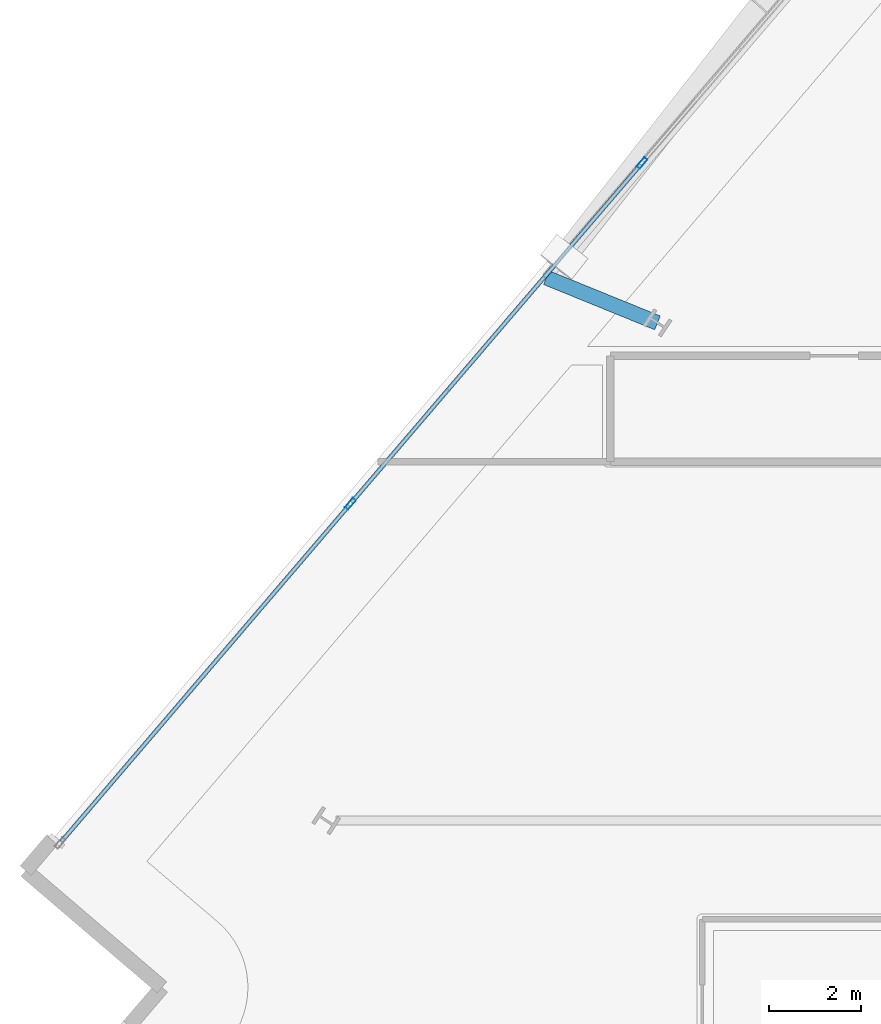
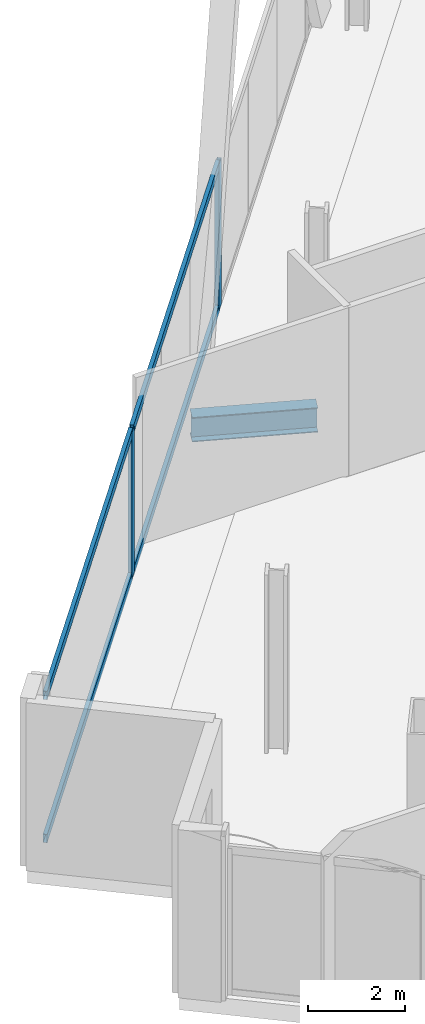
# One storey, part 11 of 26: 6 members, 1 beam, 1 element without a shape of its own.
"""IFC4 building model written with IfcOpenShell, lengths in metres."""

from ifc_helpers import new_model, si_unit, direction, frame, origin, origin_2d, place, context, subcontext, project, spatial, hollow_rectangle, i_section, extrude, material, material_profile, profile_set, type_object, element, aggregate, save


model = new_model("IFC4")

# Units and contexts
model_context = context("Model", 3, precision=1e-05, world=origin(), true_north=direction((0.0, 1.0)))
body_context = subcontext(model_context, "Body", "Model", "MODEL_VIEW")
ifc_project = project(units=[si_unit("LENGTHUNIT", "METRE"), si_unit("AREAUNIT", "SQUARE_METRE"), si_unit("VOLUMEUNIT", "CUBIC_METRE"), si_unit("PLANEANGLEUNIT", "RADIAN"), si_unit("MASSUNIT", "GRAM", prefix="KILO")], contexts=[model_context])

# Site, building, storey
site_placement = place(None, origin())
site = spatial("IfcSite", under=ifc_project, at=site_placement, CompositionType="ELEMENT")
building_placement = place(site_placement, origin())
building = spatial("IfcBuilding", under=site, at=building_placement, Name="Haldenkirk Collegiate Tower", CompositionType="ELEMENT")
storey_placement = place(building_placement, frame((0.0, 0.0, 193.949951171875)))
storey = spatial("IfcBuildingStorey", under=building, at=storey_placement, Name="L48", CompositionType="ELEMENT", Elevation=193.949951171875)

# Beam
ifc_material_1 = material(Name="Steel ASTM A992 Grade 50", Category="steel")
ifc_material_profile_1 = material_profile(ifc_material_1, i_section(OverallWidth=0.324951171875, OverallDepth=0.615966796875, WebThickness=0.013916015625, FlangeThickness=0.021484375, at=origin_2d()), Name="W24X117")
ifc_profile_set_1 = profile_set([ifc_material_profile_1], Name="Steel ASTM A992 Grade 50")
beam_type = type_object("IfcBeamType", Name="BM-GIRDER-W24X117", PredefinedType="BEAM", material=ifc_profile_set_1)
beam_placement = place(storey_placement, frame((19.226318359375, 37.16552734375, -0.718017578125), z_axis=(-0.926174680988, 0.377094763021, 0.0), x_axis=(-0.377094763021, -0.926174680988, 0.0)))
element("IfcBeam", 1, at=beam_placement, inside=storey, type_object=beam_type, Name="L48 facade lookout girder 12", PredefinedType="BEAM", context=body_context, shape_type="SweptSolid", body=[
    extrude(i_section(OverallWidth=0.324951171875, OverallDepth=0.615966796875, WebThickness=0.013916015625, FlangeThickness=0.021484375, at=origin_2d()), origin(), (0.0, 0.0, 1.0), 2.609130859375),
])

# Curtain wall, members
ifc_material_2 = material(Name="Anodised architectural bronze aluminium", Category="aluminium")
curtain_wall_type = type_object("IfcCurtainWallType", Name="CW-SYS4-SKYGARDEN", PredefinedType="USERDEFINED", material=ifc_material_2)
curtain_wall_placement = place(storey_placement, origin())
curtain_wall = element("IfcCurtainWall", 2, at=curtain_wall_placement, inside=storey, type_object=curtain_wall_type, Name="L48 Sky-garden tall bronze curtain wall", ObjectType="UNITISED CURTAIN WALL", PredefinedType="USERDEFINED")
ifc_material_profile_2 = material_profile(ifc_material_2, hollow_rectangle(XDim=0.090087890625, YDim=0.260009765625, WallThickness=0.0048828125, at=origin_2d()), Name="CW-MUL-04")
ifc_profile_set_2 = profile_set([ifc_material_profile_2], Name="Anodised architectural bronze aluminium")
member_type_1 = type_object("IfcMemberType", Name="CW-MUL-04", PredefinedType="MULLION", material=ifc_profile_set_2)
member_1_placement = place(storey_placement, frame((12.5498046875, 33.232177734375, 0.0), z_axis=(0.0, 0.0, 1.0), x_axis=(-0.759838201075, 0.650112227379, 0.0)))
member_1 = element("IfcMember", 3, at=member_1_placement, type_object=member_type_1, Name="CW-04 mullion 2", PredefinedType="MULLION", context=body_context, shape_type="SweptSolid", body=[
    extrude(hollow_rectangle(XDim=0.090087890625, YDim=0.260009765625, WallThickness=0.0048828125, at=origin_2d()), origin(), (0.0, 0.0, 1.0), 3.677978515625),
])
member_2_placement = place(storey_placement, frame((18.888427734375, 40.640380859375, 0.0), z_axis=(0.0, 0.0, 1.0), x_axis=(-0.759838201075, 0.650112227379, 0.0)))
member_2 = element("IfcMember", 4, at=member_2_placement, type_object=member_type_1, Name="CW-04 mullion 3", PredefinedType="MULLION", context=body_context, shape_type="SweptSolid", body=[
    extrude(hollow_rectangle(XDim=0.090087890625, YDim=0.260009765625, WallThickness=0.0048828125, at=origin_2d()), origin(), (0.0, 0.0, 1.0), 3.677978515625),
])
ifc_material_profile_3 = material_profile(ifc_material_2, hollow_rectangle(XDim=0.090087890625, YDim=0.2099609375, WallThickness=0.0048828125, at=origin_2d()), Name="CW-TRN-04")
ifc_profile_set_3 = profile_set([ifc_material_profile_3], Name="Anodised architectural bronze aluminium")
member_type_2 = type_object("IfcMemberType", Name="CW-TRN-04", PredefinedType="USERDEFINED", material=ifc_profile_set_3)
member_3_placement = place(storey_placement, frame((6.269775390625, 25.89208984375, 0.045166015625), z_axis=(0.650103141177, 0.759845975071, 0.0), x_axis=(-0.759845975071, 0.650103141177, 0.0)))
member_3 = element("IfcMember", 5, at=member_3_placement, type_object=member_type_2, Name="CW-04 transom 1.1", ObjectType="TRANSOM", PredefinedType="USERDEFINED", context=body_context, shape_type="SweptSolid", body=[
    extrude(hollow_rectangle(XDim=0.090087890625, YDim=0.2099609375, WallThickness=0.0048828125, at=origin_2d()), origin(), (0.0, 0.0, 1.0), 9.614990234375),
])
member_4_placement = place(storey_placement, frame((6.269775390625, 25.89208984375, 3.633056640625), z_axis=(0.650103141177, 0.759845975071, 0.0), x_axis=(-0.759845975071, 0.650103141177, 0.0)))
member_4 = element("IfcMember", 6, at=member_4_placement, type_object=member_type_2, Name="CW-04 transom 1.2", ObjectType="TRANSOM", PredefinedType="USERDEFINED", context=body_context, shape_type="SweptSolid", body=[
    extrude(hollow_rectangle(XDim=0.090087890625, YDim=0.2099609375, WallThickness=0.0048828125, at=origin_2d()), origin(), (0.0, 0.0, 1.0), 9.614990234375),
])
member_5_placement = place(storey_placement, frame((12.5791015625, 33.266357421875, 0.045166015625), z_axis=(0.650118834352, 0.759832548146, 0.0), x_axis=(-0.759832548146, 0.650118834352, 0.0)))
member_5 = element("IfcMember", 7, at=member_5_placement, type_object=member_type_2, Name="CW-04 transom 2.1", ObjectType="TRANSOM", PredefinedType="USERDEFINED", context=body_context, shape_type="SweptSolid", body=[
    extrude(hollow_rectangle(XDim=0.090087890625, YDim=0.2099609375, WallThickness=0.0048828125, at=origin_2d()), origin(), (0.0, 0.0, 1.0), 9.659912109375),
])
member_6_placement = place(storey_placement, frame((12.5791015625, 33.266357421875, 3.633056640625), z_axis=(0.650118834352, 0.759832548146, 0.0), x_axis=(-0.759832548146, 0.650118834352, 0.0)))
member_6 = element("IfcMember", 8, at=member_6_placement, type_object=member_type_2, Name="CW-04 transom 2.2", ObjectType="TRANSOM", PredefinedType="USERDEFINED", context=body_context, shape_type="SweptSolid", body=[
    extrude(hollow_rectangle(XDim=0.090087890625, YDim=0.2099609375, WallThickness=0.0048828125, at=origin_2d()), origin(), (0.0, 0.0, 1.0), 9.659912109375),
])
aggregate(curtain_wall, [member_1, member_2, member_3, member_4, member_5, member_6])

save(model, "model.ifc")
